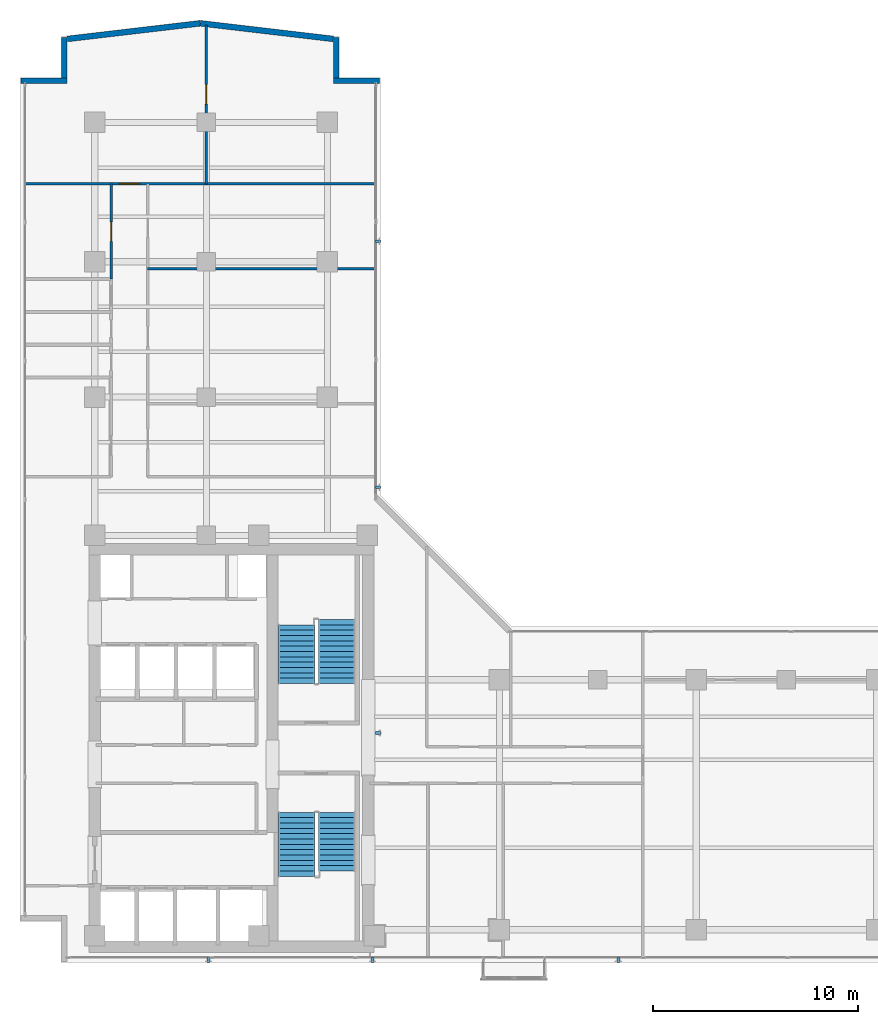
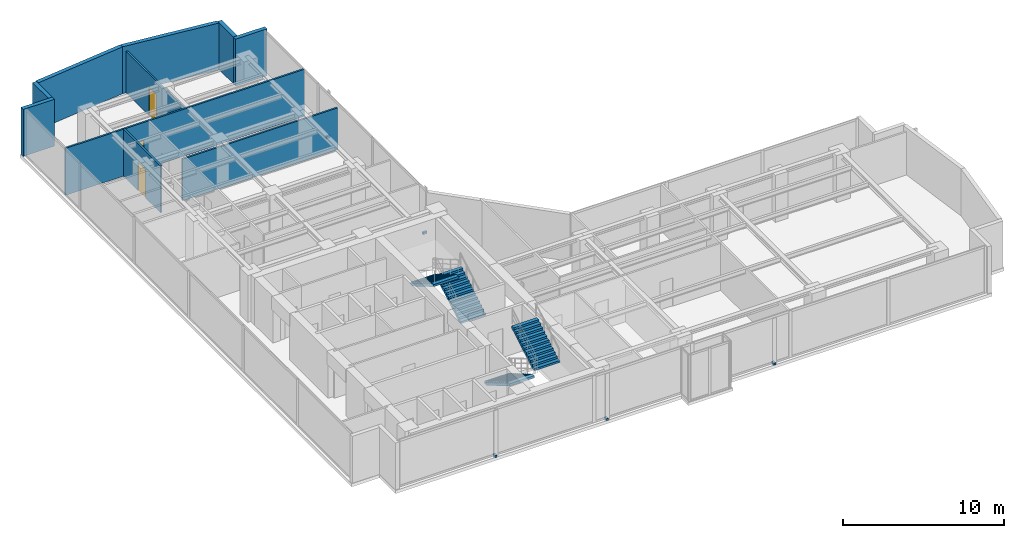
# One storey, part 19 of 23: 10 walls, 6 discrete accessories, 4 stair flights, 3 doors, 3 openings, 2 elements without a shape of their own.
"""IFC4 building model written with IfcOpenShell, lengths in metres."""

import ifcopenshell
import ifcopenshell.guid

model = None  # the IFC model being written
_history = None  # IfcOwnerHistory: only IFC2X3 demands one
_inside = {}  # id of a spatial element -> (the spatial element, [elements in it])
_under = {}  # id of a project, library or spatial element -> (it, [spatial elements below it])
_declared = {}  # id of a project -> (the project, [libraries it declares])
_typed = {}  # id of a type object -> (the type object, [elements of that type])
_made_of = {}  # id of a material, layer set ... -> (it, [elements and type objects made of it])


def new_model(schema):
    """Start an empty IFC model of exactly this schema.

    Asked for "IFC4X3", IfcOpenShell would pick the latest addendum, in which some entities
    have other attributes; the version numbers below select the first issue.
    IFC2X3 requires an IfcOwnerHistory on every rooted entity: one is made here for all.
    """
    global model, _history
    if schema == "IFC4X3":
        model = ifcopenshell.file(schema_version=(4, 3, 0, 0))
    else:
        model = ifcopenshell.file(schema=schema)
    _inside.clear()
    _under.clear()
    _declared.clear()
    _typed.clear()
    _made_of.clear()
    _history = None
    if model.schema == "IFC2X3":
        org = make("IfcOrganization", Name="unknown")
        user = make(
            "IfcPersonAndOrganization",
            ThePerson=make("IfcPerson", FamilyName="unknown"),
            TheOrganization=org,
        )
        app = make(
            "IfcApplication",
            ApplicationDeveloper=org,
            Version="unknown",
            ApplicationFullName="unknown",
            ApplicationIdentifier="unknown",
        )
        _history = make(
            "IfcOwnerHistory",
            OwningUser=user,
            OwningApplication=app,
            ChangeAction="ADDED",
            CreationDate=0,
        )
    return model


def make(cls, **values):
    """One entity of the class cls with the attributes given. An attribute that is None is left unset."""
    return model.create_entity(
        cls, **{name: value for name, value in values.items() if value is not None}
    )


def rooted(cls, **values):
    """An entity with a GlobalId (a new one), such as an element, a storey or a relation."""
    return make(cls, GlobalId=ifcopenshell.guid.new(), OwnerHistory=_history, **values)


def si_unit(unit_type, name, prefix=None):
    """IfcSIUnit, for example si_unit("LENGTHUNIT", "METRE", prefix="MILLI")."""
    return make("IfcSIUnit", UnitType=unit_type, Prefix=prefix, Name=name)


def assignment(units):
    """IfcUnitAssignment: the units of a project."""
    return None if units is None else make("IfcUnitAssignment", Units=units)


def point(xyz):
    """IfcCartesianPoint."""
    return None if xyz is None else make("IfcCartesianPoint", Coordinates=xyz)


def direction(xyz):
    """IfcDirection."""
    return None if xyz is None else make("IfcDirection", DirectionRatios=xyz)


def frame(location, z_axis=None, x_axis=None):
    """IfcAxis2Placement3D, a coordinate frame: its origin and axes. An axis left out is left unset."""
    return make(
        "IfcAxis2Placement3D",
        Location=point(location),
        Axis=direction(z_axis),
        RefDirection=direction(x_axis),
    )


def frame_2d(location, x_axis=None):
    """IfcAxis2Placement2D, a coordinate frame in the plane: its origin and x axis."""
    return make(
        "IfcAxis2Placement2D", Location=point(location), RefDirection=direction(x_axis)
    )


def origin():
    """The frame at (0, 0, 0) with its axes left unset."""
    return frame((0.0, 0.0, 0.0))


def origin_with_axes():
    """The frame at (0, 0, 0) with the z axis (0, 0, 1) and the x axis (1, 0, 0) written out."""
    return frame((0.0, 0.0, 0.0), z_axis=(0.0, 0.0, 1.0), x_axis=(1.0, 0.0, 0.0))


def origin_2d():
    """The frame at (0, 0) in the plane with its x axis left unset."""
    return frame_2d((0.0, 0.0))


def place(relative_to, where):
    """IfcLocalPlacement: puts the frame where relative to a parent placement (None: the world)."""
    return make(
        "IfcLocalPlacement", PlacementRelTo=relative_to, RelativePlacement=where
    )


def context(
    kind, dimensions, precision=None, world=None, true_north=None, identifier=None
):
    """IfcGeometricRepresentationContext, for example the 3D "Model" context."""
    return make(
        "IfcGeometricRepresentationContext",
        ContextIdentifier=identifier,
        ContextType=kind,
        CoordinateSpaceDimension=dimensions,
        Precision=precision,
        WorldCoordinateSystem=world,
        TrueNorth=true_north,
    )


def subcontext(parent, identifier, kind, view, scale=None):
    """IfcGeometricRepresentationSubContext, for example "Body" below "Model"."""
    return make(
        "IfcGeometricRepresentationSubContext",
        ContextIdentifier=identifier,
        ContextType=kind,
        ParentContext=parent,
        TargetScale=scale,
        TargetView=view,
    )


def project(units=None, contexts=None):
    """IfcProject with its units and contexts."""
    return rooted(
        "IfcProject",
        Name="project",
        RepresentationContexts=contexts,
        UnitsInContext=assignment(units),
    )


def spatial(cls, under=None, at=None, **own):
    """A site, building, storey or space (cls), placed at a placement, below another one or the project."""
    s = rooted(cls, ObjectPlacement=at, **own)
    if under is not None:
        _under.setdefault(under.id(), (under, []))[1].append(s)
    return s


def polyline(points):
    """IfcPolyline through the points."""
    return make("IfcPolyline", Points=[point(p) for p in points])


def profile(cls, at=None, kind="AREA", **sizes):
    """A parametric profile (cls). Its sizes go by their IFC names, for example OverallWidth=200.0."""
    return make(cls, ProfileType=kind, Position=at, **sizes)


def rectangle(**sizes):
    """IfcRectangleProfileDef."""
    return profile("IfcRectangleProfileDef", **sizes)


def outline(outer, holes=None, kind="AREA"):
    """IfcArbitraryClosedProfileDef: a profile drawn as a closed curve; with holes, ...WithVoids."""
    if holes is None:
        return make("IfcArbitraryClosedProfileDef", ProfileType=kind, OuterCurve=outer)
    return make(
        "IfcArbitraryProfileDefWithVoids",
        ProfileType=kind,
        OuterCurve=outer,
        InnerCurves=holes,
    )


def extrude(swept, where, along, depth):
    """IfcExtrudedAreaSolid: the profile swept, set in the frame where, extruded along a direction by depth."""
    return make(
        "IfcExtrudedAreaSolid",
        SweptArea=swept,
        Position=where,
        ExtrudedDirection=direction(along),
        Depth=depth,
    )


def shape(context_of_items, identifier, shape_type, items):
    """IfcShapeRepresentation: the items that make up one representation, for example the "Body"."""
    return make(
        "IfcShapeRepresentation",
        ContextOfItems=context_of_items,
        RepresentationIdentifier=identifier,
        RepresentationType=shape_type,
        Items=items,
    )


def source(mapping_origin, context_of_items, identifier, shape_type, items):
    """IfcRepresentationMap: a shape defined once, which mapped items show again and again."""
    return make(
        "IfcRepresentationMap",
        MappingOrigin=mapping_origin,
        MappedRepresentation=shape(context_of_items, identifier, shape_type, items),
    )


def transform(
    local_origin,
    x_axis=None,
    y_axis=None,
    z_axis=None,
    scale=None,
    scale2=None,
    scale3=None,
    uniform=True,
):
    """IfcCartesianTransformationOperator3D, or its non-uniform kind. x_axis, y_axis, z_axis: its Axis1, 2, 3."""
    if uniform:
        return make(
            "IfcCartesianTransformationOperator3D",
            Axis1=direction(x_axis),
            Axis2=direction(y_axis),
            LocalOrigin=point(local_origin),
            Scale=scale,
            Axis3=direction(z_axis),
        )
    return make(
        "IfcCartesianTransformationOperator3DnonUniform",
        Axis1=direction(x_axis),
        Axis2=direction(y_axis),
        LocalOrigin=point(local_origin),
        Scale=scale,
        Axis3=direction(z_axis),
        Scale2=scale2,
        Scale3=scale3,
    )


def mapped(mapping_source, mapping_target):
    """IfcMappedItem: shows the shape of a source again, moved by a transform."""
    return make(
        "IfcMappedItem", MappingSource=mapping_source, MappingTarget=mapping_target
    )


def material(Name=None, Category=None):
    """IfcMaterial."""
    return make("IfcMaterial", Name=Name, Category=Category)


def layer(
    of_material, thickness, ventilated=None, Name=None, Category=None, Priority=None
):
    """IfcMaterialLayer: one layer of a wall or slab, of a material (None: an air gap)."""
    return make(
        "IfcMaterialLayer",
        Material=of_material,
        LayerThickness=thickness,
        IsVentilated=ventilated,
        Name=Name,
        Category=Category,
        Priority=Priority,
    )


def layer_set(layers, Name=None):
    """IfcMaterialLayerSet."""
    return make("IfcMaterialLayerSet", MaterialLayers=layers, LayerSetName=Name)


def made_of(thing, what):
    """Note that an element or type object is made of a material, layer set ...; save() writes the relation."""
    if what is not None:
        _made_of.setdefault(what.id(), (what, []))[1].append(thing)
    return thing


def type_object(cls, material=None, **own):
    """A type object (cls), such as IfcWallType, which elements share."""
    return made_of(rooted(cls, **own), material)


def element(
    cls,
    number,
    at=None,
    inside=None,
    cuts=None,
    type_object=None,
    material=None,
    context=None,
    identifier="Body",
    shape_type=None,
    held_by="IfcProductDefinitionShape",
    body=None,
    shapes=None,
    **own,
):
    """One element of the class cls, such as IfcWall. Its Tag is "e" and its number.

    at: its placement. inside: the storey or other place that contains it. cuts: it is an
    opening in that element (IfcRelVoidsElement). A single representation is given by context,
    identifier, shape_type and body (its items); several are given by shapes. held_by: the class
    of the entity that holds the representations. save() writes the other relations.
    """
    e = rooted(cls, Tag="e%d" % number, ObjectPlacement=at, **own)
    if body is not None:
        shapes = [shape(context, identifier, shape_type, body)]
    if shapes is not None:
        e.Representation = make(held_by, Representations=shapes)
    if inside is not None:
        _inside.setdefault(inside.id(), (inside, []))[1].append(e)
    if cuts is not None:
        rooted(
            "IfcRelVoidsElement", RelatingBuildingElement=cuts, RelatedOpeningElement=e
        )
    if type_object is not None:
        _typed.setdefault(type_object.id(), (type_object, []))[1].append(e)
    return made_of(e, material)


def fill(opening, filler):
    """IfcRelFillsElement: the door or window that sits in an opening."""
    return rooted(
        "IfcRelFillsElement",
        RelatingOpeningElement=opening,
        RelatedBuildingElement=filler,
    )


def aggregate(whole, parts):
    """IfcRelAggregates: a whole, such as a stair, and the parts it consists of."""
    return rooted("IfcRelAggregates", RelatingObject=whole, RelatedObjects=parts)


def save(model, path):
    """Write the relations noted so far, then the file.

    IfcRelAggregates (storeys below a building ...), IfcRelContainedInSpatialStructure (elements
    in a storey), IfcRelDefinesByType, IfcRelAssociatesMaterial and IfcRelDeclares: one each for
    every whole, place, type object, material and project.
    """
    for whole, parts in _under.values():
        aggregate(whole, parts)
    for where, things in _inside.values():
        rooted(
            "IfcRelContainedInSpatialStructure",
            RelatedElements=things,
            RelatingStructure=where,
        )
    for kind, things in _typed.values():
        rooted("IfcRelDefinesByType", RelatedObjects=things, RelatingType=kind)
    for what, things in _made_of.values():
        rooted("IfcRelAssociatesMaterial", RelatedObjects=things, RelatingMaterial=what)
    for by, libraries in _declared.values():
        rooted("IfcRelDeclares", RelatingContext=by, RelatedDefinitions=libraries)
    model.write(path)


model = new_model("IFC4")

# Units and contexts
model_context = context("Model", 3, precision=1e-05, world=origin(), true_north=direction((0.0, 1.0)))
body_context = subcontext(model_context, "Body", "Model", "MODEL_VIEW")
ifc_project = project(units=[si_unit("LENGTHUNIT", "METRE"), si_unit("AREAUNIT", "SQUARE_METRE"), si_unit("VOLUMEUNIT", "CUBIC_METRE"), si_unit("PLANEANGLEUNIT", "RADIAN"), si_unit("MASSUNIT", "GRAM", prefix="KILO")], contexts=[model_context])

# Site, building, storey
site_placement = place(None, origin())
site = spatial("IfcSite", under=ifc_project, at=site_placement, CompositionType="ELEMENT")
building_placement = place(site_placement, origin())
building = spatial("IfcBuilding", under=site, at=building_placement, Name="Kolvaren Waterfront Exchange", CompositionType="ELEMENT")
storey_placement = place(building_placement, frame((0.0, 0.0, 231.10009765625)))
storey = spatial("IfcBuildingStorey", under=building, at=storey_placement, Name="L59", CompositionType="ELEMENT", Elevation=231.10009765625)

# Walls
ifc_material_1 = material(Name="Precast concrete C40/50", Category="concrete")
ifc_layer_1 = layer(ifc_material_1, 0.280029296875, Name="Precast concrete C40/50")
ifc_layer_set_1 = layer_set([ifc_layer_1], Name="Precast concrete C40/50")
wall_type_1 = type_object("IfcWallType", Name="ARC-EXT-TERR-280", PredefinedType="SOLIDWALL", material=ifc_layer_set_1)
wall_1_placement = place(storey_placement, frame((19.10009765625, 46.639892578125, 0.0), z_axis=(0.0, 0.0, 1.0), x_axis=(1.0, 0.0, 0.0)))
element("IfcWall", 1, at=wall_1_placement, inside=storey, type_object=wall_type_1, Name="L59 notched corner spandrel pier NNE-A", PredefinedType="SOLIDWALL", context=body_context, shape_type="SweptSolid", body=[
    extrude(rectangle(XDim=2.239990234375, YDim=0.280029296875, at=frame_2d((1.1201171875, 0.0))), origin(), (0.0, 0.0, 1.0), 3.559814453125),
])
wall_2_placement = place(storey_placement, frame((19.239990234375, 46.780029296875, 0.0), z_axis=(0.0, 0.0, 1.0), x_axis=(0.0, 1.0, 0.0)))
element("IfcWall", 2, at=wall_2_placement, inside=storey, type_object=wall_type_1, Name="L59 notched corner spandrel pier NNE-B", PredefinedType="SOLIDWALL", context=body_context, shape_type="SweptSolid", body=[
    extrude(rectangle(XDim=1.9599609375, YDim=0.280029296875, at=frame_2d((0.97998046875, 0.0))), origin(), (0.0, 0.0, 1.0), 3.559814453125),
])
wall_3_placement = place(storey_placement, frame((3.860107421875, 46.639892578125, 0.0), z_axis=(0.0, 0.0, 1.0), x_axis=(1.0, 0.0, 0.0)))
element("IfcWall", 3, at=wall_3_placement, inside=storey, type_object=wall_type_1, Name="L59 notched corner spandrel pier NW-A", PredefinedType="SOLIDWALL", context=body_context, shape_type="SweptSolid", body=[
    extrude(rectangle(XDim=2.239990234375, YDim=0.280029296875, at=frame_2d((1.1201171875, 0.0))), origin(), (0.0, 0.0, 1.0), 3.559814453125),
])
wall_4_placement = place(storey_placement, frame((5.9599609375, 46.780029296875, 0.0), z_axis=(0.0, 0.0, 1.0), x_axis=(0.0, 1.0, 0.0)))
element("IfcWall", 4, at=wall_4_placement, inside=storey, type_object=wall_type_1, Name="L59 notched corner spandrel pier NW-B", PredefinedType="SOLIDWALL", context=body_context, shape_type="SweptSolid", body=[
    extrude(rectangle(XDim=1.9599609375, YDim=0.280029296875, at=frame_2d((0.97998046875, 0.0))), origin(), (0.0, 0.0, 1.0), 3.559814453125),
])
for number, where, z_axis, x_axis, name in (
    (5, (19.08349609375, 48.676025390625, 0.0), (0.0, 0.0, 1.0), (-0.993149072278, 0.11685426921, 0.0), "L59 north prow faceted facade wall 1"),
    (6, (12.598876953125, 49.438720703125, 0.0), (0.0, 0.0, 1.0), (-0.993149072278, -0.11685426921, 0.0), "L59 north prow faceted facade wall 2"),
):
    element("IfcWall", number, at=place(storey_placement, frame(where, z_axis=z_axis, x_axis=x_axis)), inside=storey, type_object=wall_type_1, Name=name, PredefinedType="SOLIDWALL", context=body_context, shape_type="SweptSolid", body=[
        extrude(rectangle(XDim=6.52685546875, YDim=0.280029296875, at=frame_2d((3.263427734375, 0.0))), origin(), (0.0, 0.0, 1.0), 3.559814453125),
    ])

# Wall, opening, door
ifc_material_2 = material(Name="Acoustic gypsum steel stud", Category="steel")
ifc_layer_2 = layer(ifc_material_2, 0.125, Name="Acoustic gypsum steel stud")
ifc_layer_set_2 = layer_set([ifc_layer_2], Name="Acoustic gypsum steel stud")
wall_type_2 = type_object("IfcWallType", Name="ARC-PART-125", PredefinedType="PARTITIONING", material=ifc_layer_set_2)
wall_5_placement = place(storey_placement, frame((8.25, 36.949951171875, 0.0), z_axis=(0.0, 0.0, 1.0), x_axis=(0.0, 1.0, 0.0)))
wall_5 = element("IfcWall", 7, at=wall_5_placement, inside=storey, type_object=wall_type_2, Name="L59 interior wall PW-L59-NW-CORR", PredefinedType="PARTITIONING", context=body_context, shape_type="SweptSolid", body=[
    extrude(rectangle(XDim=4.650146484375, YDim=0.125, at=frame_2d((2.3251953125, 0.0))), origin(), (0.0, 0.0, 1.0), 3.559814453125),
])
opening_1_placement = place(wall_5_placement, frame((1.85009765625, 0.0, 0.0)))
opening_1 = element("IfcOpeningElement", 8, at=opening_1_placement, cuts=wall_5, Name="Opening D02", PredefinedType="OPENING", context=body_context, shape_type="SweptSolid", body=[
    extrude(rectangle(XDim=0.949951171875, YDim=2.14990234375, at=frame_2d((0.47509765625, 1.074951171875))), frame((0.0, 0.072509765625, 0.0), z_axis=(0.0, -1.0, 0.0), x_axis=(1.0, 0.0, 0.0)), (0.0, 0.0, 1.0), 0.14501953125),
])
ifc_material_3 = material(Name="Oak veneer acoustic timber", Category="wood")
door_type_1 = type_object("IfcDoorType", Name="ARC-DR-950", OperationType="NOTDEFINED", PredefinedType="DOOR", material=ifc_material_3)
door_1_placement = place(opening_1_placement, origin())
door_1 = element("IfcDoor", 9, at=door_1_placement, inside=storey, type_object=door_type_1, Name="L59 door DR-L59-NW-D-1 (D02)", OperationType="SINGLE_SWING_LEFT", OverallHeight=2.14990234375, OverallWidth=0.949951171875, PredefinedType="DOOR", context=body_context, shape_type="SweptSolid", body=[
    extrude(rectangle(XDim=0.949951171875, YDim=2.14990234375, at=frame_2d((0.47509765625, 1.074951171875))), frame((0.0, 0.02490234375, 0.0), z_axis=(0.0, -1.0, 0.0), x_axis=(1.0, 0.0, 0.0)), (0.0, 0.0, 1.0), 0.050048828125),
])
fill(opening_1, door_1)

wall_6_placement = place(storey_placement, frame((4.0400390625, 41.60009765625, 0.0), z_axis=(0.0, 0.0, 1.0), x_axis=(1.0, 0.0, 0.0)))
wall_6 = element("IfcWall", 10, at=wall_6_placement, inside=storey, type_object=wall_type_2, Name="L59 interior wall PW-L59-NTIP-S", PredefinedType="PARTITIONING", context=body_context, shape_type="SweptSolid", body=[
    extrude(rectangle(XDim=17.119873046875, YDim=0.125, at=frame_2d((8.56005859375, 0.0))), origin(), (0.0, 0.0, 1.0), 3.559814453125),
])
opening_2_placement = place(wall_6_placement, frame((4.60009765625, 0.0, 0.0)))
opening_2 = element("IfcOpeningElement", 11, at=opening_2_placement, cuts=wall_6, Name="Opening D03", PredefinedType="OPENING", context=body_context, shape_type="SweptSolid", body=[
    extrude(rectangle(XDim=1.0, YDim=2.199951171875, at=frame_2d((0.5, 1.10009765625))), frame((0.0, 0.072509765625, 0.0), z_axis=(0.0, -1.0, 0.0), x_axis=(1.0, 0.0, 0.0)), (0.0, 0.0, 1.0), 0.14501953125),
])
ifc_material_4 = material(Name="Oak veneer accessible timber", Category="wood")
door_type_2 = type_object("IfcDoorType", Name="ARC-DR-1000", OperationType="NOTDEFINED", PredefinedType="DOOR", material=ifc_material_4)
door_2_placement = place(opening_2_placement, origin())
door_2 = element("IfcDoor", 12, at=door_2_placement, inside=storey, type_object=door_type_2, Name="L59 door DR-L59-NTIPW-D (D03)", OperationType="SINGLE_SWING_RIGHT", OverallHeight=2.199951171875, OverallWidth=1.0, PredefinedType="DOOR", context=body_context, shape_type="SweptSolid", body=[
    extrude(rectangle(XDim=1.0, YDim=2.199951171875, at=frame_2d((0.5, 1.10009765625))), frame((0.0, 0.02490234375, 0.0), z_axis=(0.0, -1.0, 0.0), x_axis=(1.0, 0.0, 0.0)), (0.0, 0.0, 1.0), 0.050048828125),
])
fill(opening_2, door_2)

wall_7_placement = place(storey_placement, frame((12.89990234375, 41.60009765625, 0.0), z_axis=(0.0, 0.0, 1.0), x_axis=(0.0, 1.0, 0.0)))
wall_7 = element("IfcWall", 13, at=wall_7_placement, inside=storey, type_object=wall_type_2, Name="L59 interior wall PW-L59-NTIP-DIV", PredefinedType="PARTITIONING", context=body_context, shape_type="SweptSolid", body=[
    extrude(rectangle(XDim=7.760009765625, YDim=0.125, at=frame_2d((3.8798828125, 0.0))), origin(), (0.0, 0.0, 1.0), 3.159912109375),
])
opening_3_placement = place(wall_7_placement, frame((3.8935546875, 0.0, 0.0)))
opening_3 = element("IfcOpeningElement", 14, at=opening_3_placement, cuts=wall_7, Name="Opening D02", PredefinedType="OPENING", context=body_context, shape_type="SweptSolid", body=[
    extrude(rectangle(XDim=0.949951171875, YDim=2.14990234375, at=frame_2d((0.47509765625, 1.074951171875))), frame((0.0, 0.072509765625, 0.0), z_axis=(0.0, -1.0, 0.0), x_axis=(1.0, 0.0, 0.0)), (0.0, 0.0, 1.0), 0.14501953125),
])
door_3_placement = place(opening_3_placement, origin())
door_3 = element("IfcDoor", 15, at=door_3_placement, inside=storey, type_object=door_type_1, Name="L59 door DR-L59-NTIPE-D (D02)", OperationType="SINGLE_SWING_LEFT", OverallHeight=2.14990234375, OverallWidth=0.949951171875, PredefinedType="DOOR", context=body_context, shape_type="SweptSolid", body=[
    extrude(rectangle(XDim=0.949951171875, YDim=2.14990234375, at=frame_2d((0.47509765625, 1.074951171875))), frame((0.0, 0.02490234375, 0.0), z_axis=(0.0, -1.0, 0.0), x_axis=(1.0, 0.0, 0.0)), (0.0, 0.0, 1.0), 0.050048828125),
])
fill(opening_3, door_3)

# Wall
wall_8_placement = place(storey_placement, frame((10.030029296875, 37.449951171875, 0.0), z_axis=(0.0, 0.0, 1.0), x_axis=(1.0, 0.0, 0.0)))
element("IfcWall", 16, at=wall_8_placement, inside=storey, type_object=wall_type_2, Name="L59 interior wall PW-L59-NE-DIV-2", PredefinedType="PARTITIONING", context=body_context, shape_type="SweptSolid", body=[
    extrude(rectangle(XDim=11.1298828125, YDim=0.125, at=frame_2d((5.56494140625, 0.0))), origin(), (0.0, 0.0, 1.0), 3.159912109375),
])

# Stair, stair flights
ifc_material_5 = material(Name="Concrete C40/50", Category="concrete")
stair_type = type_object("IfcStairType", Name="ARC-STAIR-3800", PredefinedType="HALF_TURN_STAIR", material=ifc_material_5)
stair_1_placement = place(storey_placement, origin())
stair_1 = element("IfcStair", 17, at=stair_1_placement, inside=storey, type_object=stair_type, Name="L59 Smoke-proof exit stair ST1", PredefinedType="HALF_TURN_STAIR")
stair_flight_type = type_object("IfcStairFlightType", Name="ARC-FLIGHT-3800", PredefinedType="STRAIGHT", material=ifc_material_5)
stair_flight_1_placement = place(storey_placement, frame((17.300048828125, 10.929931640625, 0.0), z_axis=(0.0, 0.0, 1.0), x_axis=(0.0, -1.0, 0.0)))
stair_flight_1 = element("IfcStairFlight", 18, at=stair_flight_1_placement, type_object=stair_flight_type, Name="ST1 flight 1", NumberOfRisers=13, NumberOfTreads=12, PredefinedType="STRAIGHT", RiserHeight=0.152, TreadLength=0.26, context=body_context, shape_type="SweptSolid", body=[
    extrude(outline(polyline([(0.0, 0.0), (0.0, 0.152099609375), (0.260009765625, 0.152099609375), (0.260009765625, 0.303955078125), (0.52001953125, 0.303955078125), (0.52001953125, 0.4560546875), (0.780029296875, 0.4560546875), (0.780029296875, 0.60791015625), (1.0400390625, 0.60791015625), (1.0400390625, 0.760009765625), (1.300048828125, 0.760009765625), (1.300048828125, 0.912109375), (1.56005859375, 0.912109375), (1.56005859375, 1.06396484375), (1.820068359375, 1.06396484375), (1.820068359375, 1.216064453125), (2.080078125, 1.216064453125), (2.080078125, 1.367919921875), (2.340087890625, 1.367919921875), (2.340087890625, 1.52001953125), (2.60009765625, 1.52001953125), (2.60009765625, 1.672119140625), (2.860107421875, 1.672119140625), (2.860107421875, 1.823974609375), (3.1201171875, 1.823974609375), (3.1201171875, 1.97607421875), (3.1201171875, 1.650390625), (0.297119140625, 0.0), (0.0, 0.0)])), frame((0.0, 0.89990234375, 0.0), z_axis=(0.0, -1.0, 0.0), x_axis=(1.0, 0.0, 0.0)), (0.0, 0.0, 1.0), 1.800048828125),
])
stair_flight_2_placement = place(storey_placement, frame((19.260009765625, 8.070068359375, 1.975830078125), z_axis=(0.0, 0.0, 1.0), x_axis=(0.0, 1.0, 0.0)))
stair_flight_2 = element("IfcStairFlight", 19, at=stair_flight_2_placement, type_object=stair_flight_type, Name="ST1 flight 2", NumberOfRisers=12, NumberOfTreads=11, PredefinedType="STRAIGHT", RiserHeight=0.152, TreadLength=0.26, context=body_context, shape_type="SweptSolid", body=[
    extrude(outline(polyline([(0.0, 0.0), (0.0, 0.152099609375), (0.260009765625, 0.152099609375), (0.260009765625, 0.303955078125), (0.52001953125, 0.303955078125), (0.52001953125, 0.4560546875), (0.780029296875, 0.4560546875), (0.780029296875, 0.60791015625), (1.0400390625, 0.60791015625), (1.0400390625, 0.760009765625), (1.300048828125, 0.760009765625), (1.300048828125, 0.912109375), (1.56005859375, 0.912109375), (1.56005859375, 1.06396484375), (1.820068359375, 1.06396484375), (1.820068359375, 1.216064453125), (2.080078125, 1.216064453125), (2.080078125, 1.367919921875), (2.340087890625, 1.367919921875), (2.340087890625, 1.52001953125), (2.60009765625, 1.52001953125), (2.60009765625, 1.672119140625), (2.860107421875, 1.672119140625), (2.860107421875, 1.823974609375), (2.860107421875, 1.498291015625), (0.297119140625, 0.0), (0.0, 0.0)])), frame((0.0, 0.89990234375, 0.0), z_axis=(0.0, -1.0, 0.0), x_axis=(1.0, 0.0, 0.0)), (0.0, 0.0, 1.0), 1.800048828125),
])
aggregate(stair_1, [stair_flight_1, stair_flight_2])

stair_2_placement = place(storey_placement, origin())
stair_2 = element("IfcStair", 20, at=stair_2_placement, inside=storey, type_object=stair_type, Name="L59 Smoke-proof exit stair ST2", PredefinedType="HALF_TURN_STAIR")
stair_flight_3_placement = place(storey_placement, frame((19.260009765625, 17.219970703125, 0.0), z_axis=(0.0, 0.0, 1.0), x_axis=(0.0, 1.0, 0.0)))
stair_flight_3 = element("IfcStairFlight", 21, at=stair_flight_3_placement, type_object=stair_flight_type, Name="ST2 flight 1", NumberOfRisers=13, NumberOfTreads=12, PredefinedType="STRAIGHT", RiserHeight=0.152, TreadLength=0.26, context=body_context, shape_type="SweptSolid", body=[
    extrude(outline(polyline([(0.0, 0.0), (0.0, 0.152099609375), (0.260009765625, 0.152099609375), (0.260009765625, 0.303955078125), (0.52001953125, 0.303955078125), (0.52001953125, 0.4560546875), (0.780029296875, 0.4560546875), (0.780029296875, 0.60791015625), (1.0400390625, 0.60791015625), (1.0400390625, 0.760009765625), (1.300048828125, 0.760009765625), (1.300048828125, 0.912109375), (1.56005859375, 0.912109375), (1.56005859375, 1.06396484375), (1.820068359375, 1.06396484375), (1.820068359375, 1.216064453125), (2.080078125, 1.216064453125), (2.080078125, 1.367919921875), (2.340087890625, 1.367919921875), (2.340087890625, 1.52001953125), (2.60009765625, 1.52001953125), (2.60009765625, 1.672119140625), (2.860107421875, 1.672119140625), (2.860107421875, 1.823974609375), (3.1201171875, 1.823974609375), (3.1201171875, 1.97607421875), (3.1201171875, 1.650390625), (0.297119140625, 0.0), (0.0, 0.0)])), frame((0.0, 0.89990234375, 0.0), z_axis=(0.0, -1.0, 0.0), x_axis=(1.0, 0.0, 0.0)), (0.0, 0.0, 1.0), 1.800048828125),
])
stair_flight_4_placement = place(storey_placement, frame((17.300048828125, 20.080078125, 1.975830078125), z_axis=(0.0, 0.0, 1.0), x_axis=(0.0, -1.0, 0.0)))
stair_flight_4 = element("IfcStairFlight", 22, at=stair_flight_4_placement, type_object=stair_flight_type, Name="ST2 flight 2", NumberOfRisers=12, NumberOfTreads=11, PredefinedType="STRAIGHT", RiserHeight=0.152, TreadLength=0.26, context=body_context, shape_type="SweptSolid", body=[
    extrude(outline(polyline([(0.0, 0.0), (0.0, 0.152099609375), (0.260009765625, 0.152099609375), (0.260009765625, 0.303955078125), (0.52001953125, 0.303955078125), (0.52001953125, 0.4560546875), (0.780029296875, 0.4560546875), (0.780029296875, 0.60791015625), (1.0400390625, 0.60791015625), (1.0400390625, 0.760009765625), (1.300048828125, 0.760009765625), (1.300048828125, 0.912109375), (1.56005859375, 0.912109375), (1.56005859375, 1.06396484375), (1.820068359375, 1.06396484375), (1.820068359375, 1.216064453125), (2.080078125, 1.216064453125), (2.080078125, 1.367919921875), (2.340087890625, 1.367919921875), (2.340087890625, 1.52001953125), (2.60009765625, 1.52001953125), (2.60009765625, 1.672119140625), (2.860107421875, 1.672119140625), (2.860107421875, 1.823974609375), (2.860107421875, 1.498291015625), (0.297119140625, 0.0), (0.0, 0.0)])), frame((0.0, 0.89990234375, 0.0), z_axis=(0.0, -1.0, 0.0), x_axis=(1.0, 0.0, 0.0)), (0.0, 0.0, 1.0), 1.800048828125),
])
aggregate(stair_2, [stair_flight_3, stair_flight_4])

# Discrete accessories
ifc_material_6 = material(Name="Stainless steel 316", Category="steel")
discrete_accessory_type = type_object("IfcDiscreteAccessoryType", Name="ARC-BRK-FIN", PredefinedType="BRACKET", material=ifc_material_6)
shared_shape = source(origin_with_axes(), body_context, "Body", "SweptSolid", [
    extrude(rectangle(XDim=0.280029296875, YDim=0.139892578125, at=origin_2d()), origin(), (0.0, 0.0, 1.0), 0.159912109375),
])
for number, where, z_axis, x_axis, name in (
    (23, (13.0, 3.719970703125, 0.0), (0.0, 0.0, 1.0), (0.0, -1.0, 0.0), "L59 bronze fin anchor bracket FIN-L59-S1"),
    (24, (21.0, 3.719970703125, 0.0), (0.0, 0.0, 1.0), (0.0, -1.0, 0.0), "L59 bronze fin anchor bracket FIN-L59-S2"),
    (25, (33.0, 3.719970703125, 0.0), (0.0, 0.0, 1.0), (0.0, -1.0, 0.0), "L59 bronze fin anchor bracket FIN-L59-S3"),
    (26, (21.280029296875, 14.800048828125, 0.0), (0.0, 0.0, 1.0), (1.0, 0.0, 0.0), "L59 bronze fin anchor bracket FIN-L59-E1"),
    (27, (21.280029296875, 26.800048828125, 0.0), (0.0, 0.0, 1.0), (1.0, 0.0, 0.0), "L59 bronze fin anchor bracket FIN-L59-E2"),
    (28, (21.280029296875, 38.800048828125, 0.0), (0.0, 0.0, 1.0), (1.0, 0.0, 0.0), "L59 bronze fin anchor bracket FIN-L59-E3"),
):
    element("IfcDiscreteAccessory", number, at=place(storey_placement, frame(where, z_axis=z_axis, x_axis=x_axis)), inside=storey, type_object=discrete_accessory_type, Name=name, PredefinedType="BRACKET", context=body_context, shape_type="MappedRepresentation", body=[
        mapped(shared_shape, transform((0.0, 0.0, 0.0), x_axis=(1.0, 0.0, 0.0), y_axis=(0.0, 1.0, 0.0), z_axis=(0.0, 0.0, 1.0), scale=1.0)),
    ])

save(model, "model.ifc")
